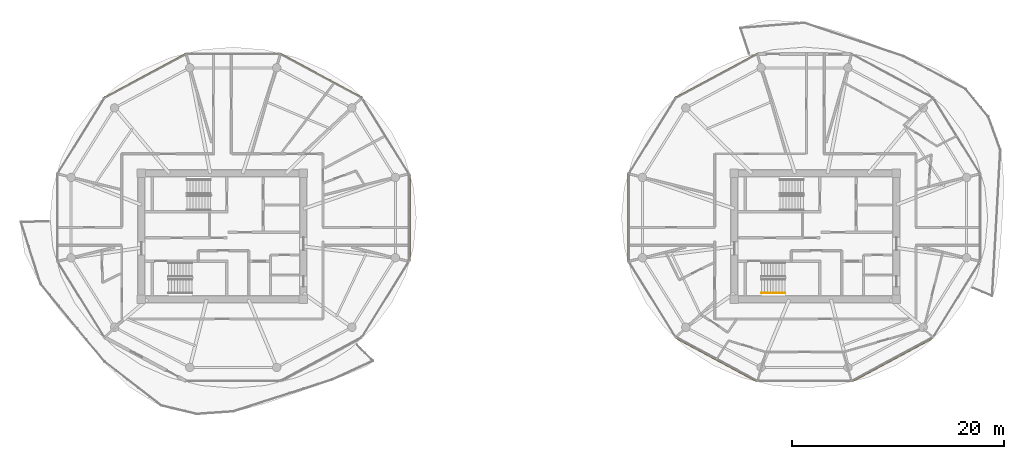
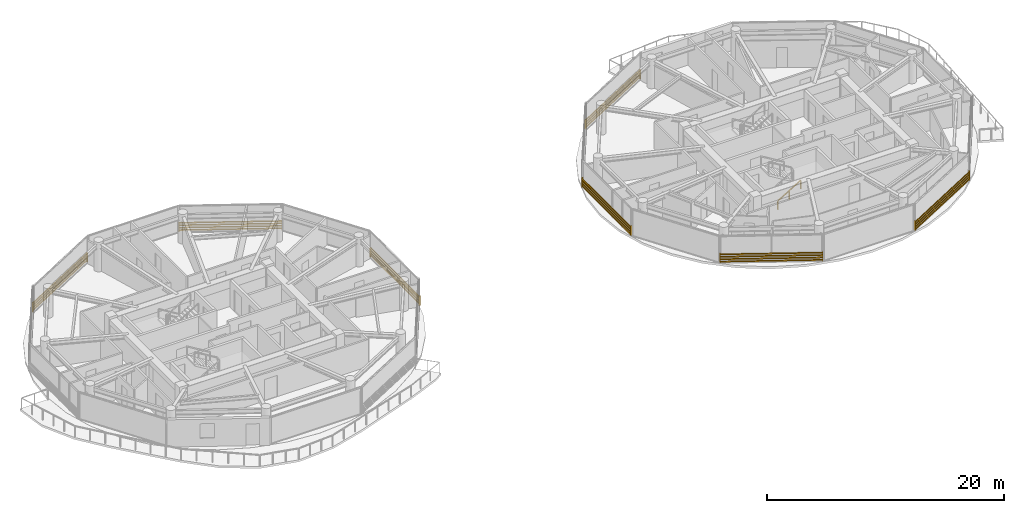
# One storey, part 21 of 22: 7 shading devices, 1 railing.
"""IFC4 building model written with IfcOpenShell, lengths in metres."""

import ifcopenshell
import ifcopenshell.guid

model = None  # the IFC model being written
_history = None  # IfcOwnerHistory: only IFC2X3 demands one
_inside = {}  # id of a spatial element -> (the spatial element, [elements in it])
_under = {}  # id of a project, library or spatial element -> (it, [spatial elements below it])
_declared = {}  # id of a project -> (the project, [libraries it declares])
_typed = {}  # id of a type object -> (the type object, [elements of that type])
_made_of = {}  # id of a material, layer set ... -> (it, [elements and type objects made of it])


def new_model(schema):
    """Start an empty IFC model of exactly this schema.

    Asked for "IFC4X3", IfcOpenShell would pick the latest addendum, in which some entities
    have other attributes; the version numbers below select the first issue.
    IFC2X3 requires an IfcOwnerHistory on every rooted entity: one is made here for all.
    """
    global model, _history
    if schema == "IFC4X3":
        model = ifcopenshell.file(schema_version=(4, 3, 0, 0))
    else:
        model = ifcopenshell.file(schema=schema)
    _inside.clear()
    _under.clear()
    _declared.clear()
    _typed.clear()
    _made_of.clear()
    _history = None
    if model.schema == "IFC2X3":
        org = make("IfcOrganization", Name="unknown")
        user = make(
            "IfcPersonAndOrganization",
            ThePerson=make("IfcPerson", FamilyName="unknown"),
            TheOrganization=org,
        )
        app = make(
            "IfcApplication",
            ApplicationDeveloper=org,
            Version="unknown",
            ApplicationFullName="unknown",
            ApplicationIdentifier="unknown",
        )
        _history = make(
            "IfcOwnerHistory",
            OwningUser=user,
            OwningApplication=app,
            ChangeAction="ADDED",
            CreationDate=0,
        )
    return model


def make(cls, **values):
    """One entity of the class cls with the attributes given. An attribute that is None is left unset."""
    return model.create_entity(
        cls, **{name: value for name, value in values.items() if value is not None}
    )


def rooted(cls, **values):
    """An entity with a GlobalId (a new one), such as an element, a storey or a relation."""
    return make(cls, GlobalId=ifcopenshell.guid.new(), OwnerHistory=_history, **values)


def si_unit(unit_type, name, prefix=None):
    """IfcSIUnit, for example si_unit("LENGTHUNIT", "METRE", prefix="MILLI")."""
    return make("IfcSIUnit", UnitType=unit_type, Prefix=prefix, Name=name)


def assignment(units):
    """IfcUnitAssignment: the units of a project."""
    return None if units is None else make("IfcUnitAssignment", Units=units)


def point(xyz):
    """IfcCartesianPoint."""
    return None if xyz is None else make("IfcCartesianPoint", Coordinates=xyz)


def direction(xyz):
    """IfcDirection."""
    return None if xyz is None else make("IfcDirection", DirectionRatios=xyz)


def frame(location, z_axis=None, x_axis=None):
    """IfcAxis2Placement3D, a coordinate frame: its origin and axes. An axis left out is left unset."""
    return make(
        "IfcAxis2Placement3D",
        Location=point(location),
        Axis=direction(z_axis),
        RefDirection=direction(x_axis),
    )


def frame_2d(location, x_axis=None):
    """IfcAxis2Placement2D, a coordinate frame in the plane: its origin and x axis."""
    return make(
        "IfcAxis2Placement2D", Location=point(location), RefDirection=direction(x_axis)
    )


def origin():
    """The frame at (0, 0, 0) with its axes left unset."""
    return frame((0.0, 0.0, 0.0))


def origin_2d():
    """The frame at (0, 0) in the plane with its x axis left unset."""
    return frame_2d((0.0, 0.0))


def place(relative_to, where):
    """IfcLocalPlacement: puts the frame where relative to a parent placement (None: the world)."""
    return make(
        "IfcLocalPlacement", PlacementRelTo=relative_to, RelativePlacement=where
    )


def context(
    kind, dimensions, precision=None, world=None, true_north=None, identifier=None
):
    """IfcGeometricRepresentationContext, for example the 3D "Model" context."""
    return make(
        "IfcGeometricRepresentationContext",
        ContextIdentifier=identifier,
        ContextType=kind,
        CoordinateSpaceDimension=dimensions,
        Precision=precision,
        WorldCoordinateSystem=world,
        TrueNorth=true_north,
    )


def subcontext(parent, identifier, kind, view, scale=None):
    """IfcGeometricRepresentationSubContext, for example "Body" below "Model"."""
    return make(
        "IfcGeometricRepresentationSubContext",
        ContextIdentifier=identifier,
        ContextType=kind,
        ParentContext=parent,
        TargetScale=scale,
        TargetView=view,
    )


def project(units=None, contexts=None):
    """IfcProject with its units and contexts."""
    return rooted(
        "IfcProject",
        Name="project",
        RepresentationContexts=contexts,
        UnitsInContext=assignment(units),
    )


def spatial(cls, under=None, at=None, **own):
    """A site, building, storey or space (cls), placed at a placement, below another one or the project."""
    s = rooted(cls, ObjectPlacement=at, **own)
    if under is not None:
        _under.setdefault(under.id(), (under, []))[1].append(s)
    return s


def profile(cls, at=None, kind="AREA", **sizes):
    """A parametric profile (cls). Its sizes go by their IFC names, for example OverallWidth=200.0."""
    return make(cls, ProfileType=kind, Position=at, **sizes)


def rectangle(**sizes):
    """IfcRectangleProfileDef."""
    return profile("IfcRectangleProfileDef", **sizes)


def extrude(swept, where, along, depth):
    """IfcExtrudedAreaSolid: the profile swept, set in the frame where, extruded along a direction by depth."""
    return make(
        "IfcExtrudedAreaSolid",
        SweptArea=swept,
        Position=where,
        ExtrudedDirection=direction(along),
        Depth=depth,
    )


def shape(context_of_items, identifier, shape_type, items):
    """IfcShapeRepresentation: the items that make up one representation, for example the "Body"."""
    return make(
        "IfcShapeRepresentation",
        ContextOfItems=context_of_items,
        RepresentationIdentifier=identifier,
        RepresentationType=shape_type,
        Items=items,
    )


def source(mapping_origin, context_of_items, identifier, shape_type, items):
    """IfcRepresentationMap: a shape defined once, which mapped items show again and again."""
    return make(
        "IfcRepresentationMap",
        MappingOrigin=mapping_origin,
        MappedRepresentation=shape(context_of_items, identifier, shape_type, items),
    )


def transform(
    local_origin,
    x_axis=None,
    y_axis=None,
    z_axis=None,
    scale=None,
    scale2=None,
    scale3=None,
    uniform=True,
):
    """IfcCartesianTransformationOperator3D, or its non-uniform kind. x_axis, y_axis, z_axis: its Axis1, 2, 3."""
    if uniform:
        return make(
            "IfcCartesianTransformationOperator3D",
            Axis1=direction(x_axis),
            Axis2=direction(y_axis),
            LocalOrigin=point(local_origin),
            Scale=scale,
            Axis3=direction(z_axis),
        )
    return make(
        "IfcCartesianTransformationOperator3DnonUniform",
        Axis1=direction(x_axis),
        Axis2=direction(y_axis),
        LocalOrigin=point(local_origin),
        Scale=scale,
        Axis3=direction(z_axis),
        Scale2=scale2,
        Scale3=scale3,
    )


def mapped(mapping_source, mapping_target):
    """IfcMappedItem: shows the shape of a source again, moved by a transform."""
    return make(
        "IfcMappedItem", MappingSource=mapping_source, MappingTarget=mapping_target
    )


def material(Name=None, Category=None):
    """IfcMaterial."""
    return make("IfcMaterial", Name=Name, Category=Category)


def made_of(thing, what):
    """Note that an element or type object is made of a material, layer set ...; save() writes the relation."""
    if what is not None:
        _made_of.setdefault(what.id(), (what, []))[1].append(thing)
    return thing


def type_object(cls, material=None, **own):
    """A type object (cls), such as IfcWallType, which elements share."""
    return made_of(rooted(cls, **own), material)


def type_shapes(of_type, sources):
    """Give a type object the sources (RepresentationMaps) that its elements show as mapped items."""
    of_type.RepresentationMaps = sources


def element(
    cls,
    number,
    at=None,
    inside=None,
    cuts=None,
    type_object=None,
    material=None,
    context=None,
    identifier="Body",
    shape_type=None,
    held_by="IfcProductDefinitionShape",
    body=None,
    shapes=None,
    **own,
):
    """One element of the class cls, such as IfcWall. Its Tag is "e" and its number.

    at: its placement. inside: the storey or other place that contains it. cuts: it is an
    opening in that element (IfcRelVoidsElement). A single representation is given by context,
    identifier, shape_type and body (its items); several are given by shapes. held_by: the class
    of the entity that holds the representations. save() writes the other relations.
    """
    e = rooted(cls, Tag="e%d" % number, ObjectPlacement=at, **own)
    if body is not None:
        shapes = [shape(context, identifier, shape_type, body)]
    if shapes is not None:
        e.Representation = make(held_by, Representations=shapes)
    if inside is not None:
        _inside.setdefault(inside.id(), (inside, []))[1].append(e)
    if cuts is not None:
        rooted(
            "IfcRelVoidsElement", RelatingBuildingElement=cuts, RelatedOpeningElement=e
        )
    if type_object is not None:
        _typed.setdefault(type_object.id(), (type_object, []))[1].append(e)
    return made_of(e, material)


def aggregate(whole, parts):
    """IfcRelAggregates: a whole, such as a stair, and the parts it consists of."""
    return rooted("IfcRelAggregates", RelatingObject=whole, RelatedObjects=parts)


def save(model, path):
    """Write the relations noted so far, then the file.

    IfcRelAggregates (storeys below a building ...), IfcRelContainedInSpatialStructure (elements
    in a storey), IfcRelDefinesByType, IfcRelAssociatesMaterial and IfcRelDeclares: one each for
    every whole, place, type object, material and project.
    """
    for whole, parts in _under.values():
        aggregate(whole, parts)
    for where, things in _inside.values():
        rooted(
            "IfcRelContainedInSpatialStructure",
            RelatedElements=things,
            RelatingStructure=where,
        )
    for kind, things in _typed.values():
        rooted("IfcRelDefinesByType", RelatedObjects=things, RelatingType=kind)
    for what, things in _made_of.values():
        rooted("IfcRelAssociatesMaterial", RelatedObjects=things, RelatingMaterial=what)
    for by, libraries in _declared.values():
        rooted("IfcRelDeclares", RelatingContext=by, RelatedDefinitions=libraries)
    model.write(path)


model = new_model("IFC4")

# Units and contexts
model_context = context("Model", 3, precision=1e-05, world=origin(), true_north=direction((0.0, 1.0)))
body_context = subcontext(model_context, "Body", "Model", "MODEL_VIEW")
ifc_project = project(units=[si_unit("LENGTHUNIT", "METRE"), si_unit("AREAUNIT", "SQUARE_METRE"), si_unit("VOLUMEUNIT", "CUBIC_METRE"), si_unit("PLANEANGLEUNIT", "RADIAN"), si_unit("MASSUNIT", "GRAM", prefix="KILO")], contexts=[model_context])

# Site, building, storey
site_placement = place(None, origin())
site = spatial("IfcSite", under=ifc_project, at=site_placement, CompositionType="ELEMENT")
building_placement = place(site_placement, origin())
building = spatial("IfcBuilding", under=site, at=building_placement, Name="Norrkilde Senior Care Towers", CompositionType="ELEMENT")
storey_placement = place(building_placement, frame((0.0, 0.0, 170.89990234375)))
storey = spatial("IfcBuildingStorey", under=building, at=storey_placement, Name="L53", CompositionType="ELEMENT", Elevation=170.89990234375)

# Railing
ifc_material_1 = material(Name="Nordic Ash Timber", Category="wood")
railing_type = type_object("IfcRailingType", Name="Wall and Stair Handrail 900", PredefinedType="HANDRAIL", material=ifc_material_1)
railing_placement = place(storey_placement, frame((22.89990234375, -5.35009765625, 0.16943359375)))
element("IfcRailing", 1, at=railing_placement, inside=storey, type_object=railing_type, Name="L53 ST-E2 stair handrail 1", PredefinedType="HANDRAIL", context=body_context, shape_type="SweptSolid", body=[
    extrude(rectangle(XDim=0.048095703125, YDim=0.048095703125, at=origin_2d()), frame((0.0, 0.0, 0.8759765625), z_axis=(0.855512035549, 0.0, 0.517782924622), x_axis=(0.0, 1.0, 0.0)), (0.0, 0.0, 1.0), 2.618408203125),
    extrude(rectangle(XDim=0.0419921875, YDim=0.0419921875, at=origin_2d()), origin(), (0.0, 0.0, 1.0), 0.849853515625),
    extrude(rectangle(XDim=0.0419921875, YDim=0.0419921875, at=origin_2d()), frame((1.1201171875, 0.0, 0.677734375)), (0.0, 0.0, 1.0), 0.849853515625),
    extrude(rectangle(XDim=0.0419921875, YDim=0.0419921875, at=origin_2d()), frame((2.239990234375, 0.0, 1.355712890625)), (0.0, 0.0, 1.0), 0.849853515625),
])

# Shading devices
ifc_material_2 = material(Name="Architectural Terracotta", Category="masonry")
shading_device_type = type_object("IfcShadingDeviceType", Name="Horizontal Terracotta Baguette Rack", PredefinedType="USERDEFINED", material=ifc_material_2)
shared_shape_1 = source(origin(), body_context, "Body", "SweptSolid", [
    extrude(rectangle(XDim=0.070068359375, YDim=0.110107421875, at=origin_2d()), frame((0.0, 0.090087890625, 0.125), z_axis=(1.0, 0.0, 0.0), x_axis=(0.0, 1.0, 0.0)), (0.0, 0.0, 1.0), 8.741943359375),
    extrude(rectangle(XDim=0.070068359375, YDim=0.110107421875, at=origin_2d()), frame((0.0, 0.090087890625, 0.375), z_axis=(1.0, 0.0, 0.0), x_axis=(0.0, 1.0, 0.0)), (0.0, 0.0, 1.0), 8.741943359375),
    extrude(rectangle(XDim=0.070068359375, YDim=0.110107421875, at=origin_2d()), frame((0.0, 0.090087890625, 0.625), z_axis=(1.0, 0.0, 0.0), x_axis=(0.0, 1.0, 0.0)), (0.0, 0.0, 1.0), 8.741943359375),
    extrude(rectangle(XDim=0.070068359375, YDim=0.110107421875, at=origin_2d()), frame((0.0, 0.090087890625, 0.875), z_axis=(1.0, 0.0, 0.0), x_axis=(0.0, 1.0, 0.0)), (0.0, 0.0, 1.0), 8.741943359375),
    extrude(rectangle(XDim=0.050048828125, YDim=0.1552734375, at=origin_2d()), frame((0.02490234375, 0.047607421875, 0.0)), (0.0, 0.0, 1.0), 1.0),
    extrude(rectangle(XDim=0.050048828125, YDim=0.1552734375, at=origin_2d()), frame((8.716796875, 0.047607421875, 0.0)), (0.0, 0.0, 1.0), 1.0),
])
for number, where, z_axis, x_axis, name in (
    (2, (-22.528564453125, 17.2109375, 0.080078125), (0.0, 0.0, 1.0), (0.881000921608, -0.473119781048, 0.0), "L53 Drum W Terracotta Baguette Screen 01"),
    (3, (14.826904296875, 13.074951171875, 0.080078125), (0.0, 0.0, 1.0), (0.881000921608, 0.473119781048, 0.0), "L53 Drum E Terracotta Baguette Screen 03"),
    (4, (22.528564453125, -13.66015625, 0.080078125), (0.0, 0.0, 1.0), (-0.881000921608, 0.473119781048, 0.0), "L53 Drum E Terracotta Baguette Screen 07"),
):
    element("IfcShadingDevice", number, at=place(storey_placement, frame(where, z_axis=z_axis, x_axis=x_axis)), inside=storey, type_object=shading_device_type, Name=name, ObjectType="BAGUETTE", PredefinedType="USERDEFINED", context=body_context, shape_type="MappedRepresentation", body=[
        mapped(shared_shape_1, transform((0.0, 0.0, 0.0), x_axis=(1.0, 0.0, 0.0), y_axis=(0.0, 1.0, 0.0), z_axis=(0.0, 0.0, 1.0), scale=1.0)),
    ])
shared_shape_2 = source(origin(), body_context, "Body", "SweptSolid", [
    extrude(rectangle(XDim=0.070068359375, YDim=0.110107421875, at=origin_2d()), frame((0.0, 0.090087890625, 0.125), z_axis=(1.0, 0.0, 0.0), x_axis=(0.0, 1.0, 0.0)), (0.0, 0.0, 1.0), 8.74169921875),
    extrude(rectangle(XDim=0.070068359375, YDim=0.110107421875, at=origin_2d()), frame((0.0, 0.090087890625, 0.375), z_axis=(1.0, 0.0, 0.0), x_axis=(0.0, 1.0, 0.0)), (0.0, 0.0, 1.0), 8.74169921875),
    extrude(rectangle(XDim=0.070068359375, YDim=0.110107421875, at=origin_2d()), frame((0.0, 0.090087890625, 0.625), z_axis=(1.0, 0.0, 0.0), x_axis=(0.0, 1.0, 0.0)), (0.0, 0.0, 1.0), 8.74169921875),
    extrude(rectangle(XDim=0.070068359375, YDim=0.110107421875, at=origin_2d()), frame((0.0, 0.090087890625, 0.875), z_axis=(1.0, 0.0, 0.0), x_axis=(0.0, 1.0, 0.0)), (0.0, 0.0, 1.0), 8.74169921875),
    extrude(rectangle(XDim=0.050048828125, YDim=0.1552734375, at=origin_2d()), frame((0.02490234375, 0.047607421875, 0.0)), (0.0, 0.0, 1.0), 1.0),
    extrude(rectangle(XDim=0.050048828125, YDim=0.1552734375, at=origin_2d()), frame((8.716796875, 0.047607421875, 0.0)), (0.0, 0.0, 1.0), 1.0),
])
for number, where, z_axis, x_axis, name in (
    (5, (-39.123046875, 13.074951171875, 0.080078125), (0.0, 0.0, 1.0), (0.880997598168, 0.47313299447, 0.0), "L53 Drum W Terracotta Baguette Screen 03"),
    (6, (39.123046875, -9.524169921875, 0.080078125), (0.0, 0.0, 1.0), (-0.880997598168, -0.47313299447, 0.0), "L53 Drum E Terracotta Baguette Screen 09"),
):
    element("IfcShadingDevice", number, at=place(storey_placement, frame(where, z_axis=z_axis, x_axis=x_axis)), inside=storey, type_object=shading_device_type, Name=name, ObjectType="BAGUETTE", PredefinedType="USERDEFINED", context=body_context, shape_type="MappedRepresentation", body=[
        mapped(shared_shape_2, transform((0.0, 0.0, 0.0), x_axis=(1.0, 0.0, 0.0), y_axis=(0.0, 1.0, 0.0), z_axis=(0.0, 0.0, 1.0), scale=1.0)),
    ])
shared_shape_3 = source(origin(), body_context, "Body", "SweptSolid", [
    extrude(rectangle(XDim=0.070068359375, YDim=0.110107421875, at=origin_2d()), frame((0.0, 0.090087890625, 0.125), z_axis=(1.0, 0.0, 0.0), x_axis=(0.0, 1.0, 0.0)), (0.0, 0.0, 1.0), 8.27197265625),
    extrude(rectangle(XDim=0.070068359375, YDim=0.110107421875, at=origin_2d()), frame((0.0, 0.090087890625, 0.375), z_axis=(1.0, 0.0, 0.0), x_axis=(0.0, 1.0, 0.0)), (0.0, 0.0, 1.0), 8.27197265625),
    extrude(rectangle(XDim=0.070068359375, YDim=0.110107421875, at=origin_2d()), frame((0.0, 0.090087890625, 0.625), z_axis=(1.0, 0.0, 0.0), x_axis=(0.0, 1.0, 0.0)), (0.0, 0.0, 1.0), 8.27197265625),
    extrude(rectangle(XDim=0.070068359375, YDim=0.110107421875, at=origin_2d()), frame((0.0, 0.090087890625, 0.875), z_axis=(1.0, 0.0, 0.0), x_axis=(0.0, 1.0, 0.0)), (0.0, 0.0, 1.0), 8.27197265625),
    extrude(rectangle(XDim=0.050048828125, YDim=0.1552734375, at=origin_2d()), frame((0.02490234375, 0.047607421875, 0.0)), (0.0, 0.0, 1.0), 1.0),
    extrude(rectangle(XDim=0.050048828125, YDim=0.1552734375, at=origin_2d()), frame((8.2470703125, 0.047607421875, 0.0)), (0.0, 0.0, 1.0), 1.0),
])
type_shapes(shading_device_type, [shared_shape_1, shared_shape_2, shared_shape_3])
for number, where, z_axis, x_axis, name in (
    (7, (-10.38037109375, 5.911376953125, 0.080078125), (0.0, 0.0, 1.0), (0.0, -1.0, 0.0), "L53 Drum W Terracotta Baguette Screen 11"),
    (8, (10.38037109375, -2.360595703125, 0.080078125), (0.0, 0.0, 1.0), (0.0, 1.0, 0.0), "L53 Drum E Terracotta Baguette Screen 05"),
):
    element("IfcShadingDevice", number, at=place(storey_placement, frame(where, z_axis=z_axis, x_axis=x_axis)), inside=storey, type_object=shading_device_type, Name=name, ObjectType="BAGUETTE", PredefinedType="USERDEFINED", context=body_context, shape_type="MappedRepresentation", body=[
        mapped(shared_shape_3, transform((0.0, 0.0, 0.0), x_axis=(1.0, 0.0, 0.0), y_axis=(0.0, 1.0, 0.0), z_axis=(0.0, 0.0, 1.0), scale=1.0)),
    ])

save(model, "model.ifc")
